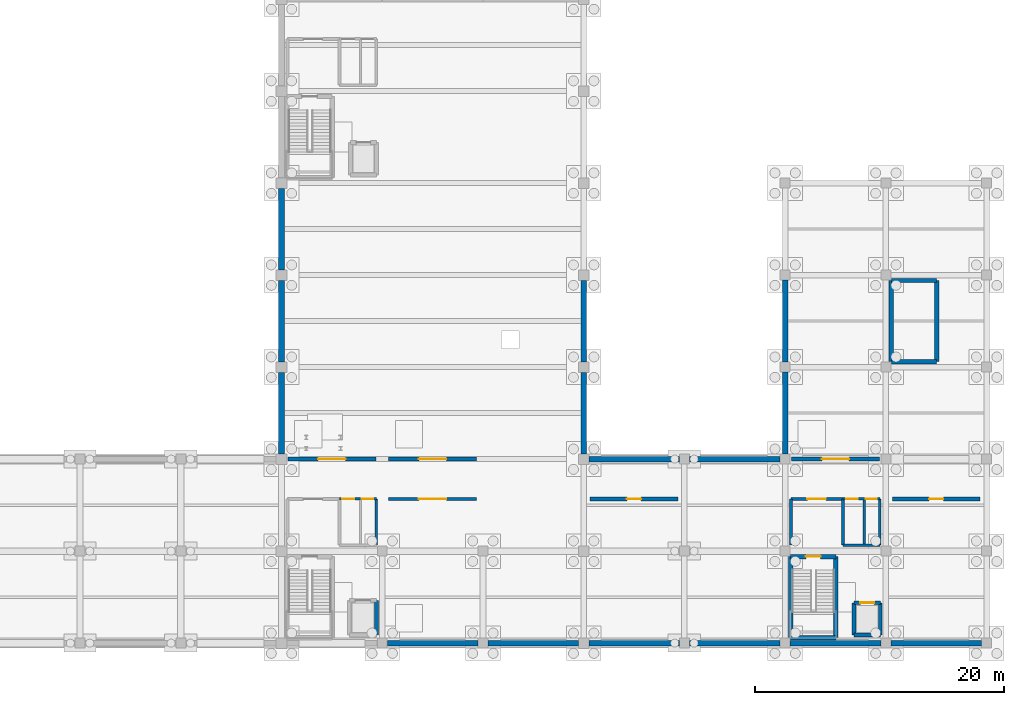
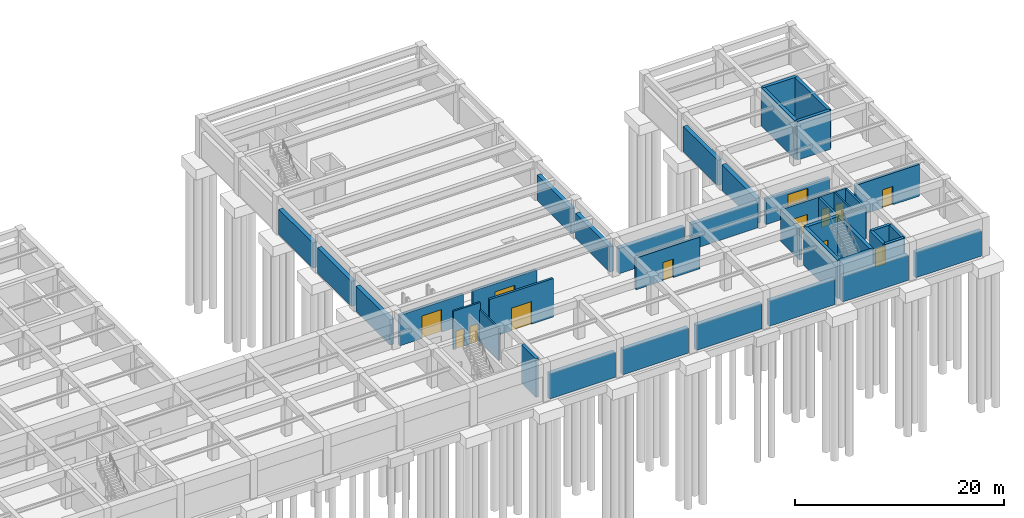
# One storey, part 9 of 14: 43 walls, 13 doors, 13 openings.
"""IFC4 building model written with IfcOpenShell, lengths in metres."""

from ifc_helpers import new_model, si_unit, direction, frame, frame_2d, origin, place, context, subcontext, project, spatial, rectangle, extrude, material, layer, layer_set, type_object, element, fill, save


model = new_model("IFC4")

# Units and contexts
model_context = context("Model", 3, precision=1e-05, world=origin(), true_north=direction((0.0, 1.0)))
body_context = subcontext(model_context, "Body", "Model", "MODEL_VIEW")
ifc_project = project(units=[si_unit("LENGTHUNIT", "METRE"), si_unit("AREAUNIT", "SQUARE_METRE"), si_unit("VOLUMEUNIT", "CUBIC_METRE"), si_unit("PLANEANGLEUNIT", "RADIAN"), si_unit("MASSUNIT", "GRAM", prefix="KILO")], contexts=[model_context])

# Site, building, storey
site_placement = place(None, origin())
site = spatial("IfcSite", under=ifc_project, at=site_placement, CompositionType="ELEMENT")
building_placement = place(site_placement, origin())
building = spatial("IfcBuilding", under=site, at=building_placement, Name="Cimatlan Art Gallery", CompositionType="ELEMENT")
storey_placement = place(building_placement, frame((0.0, 0.0, -4.800048828125)))
storey = spatial("IfcBuildingStorey", under=building, at=storey_placement, Name="B1", CompositionType="ELEMENT", Elevation=-4.800048828125)

# Walls
ifc_material_1 = material(Name="Concrete C40/50", Category="concrete")
ifc_layer_1 = layer(ifc_material_1, 0.31005859375)
ifc_layer_set_1 = layer_set([ifc_layer_1], Name="Concrete C40/50")
wall_type_1 = type_object("IfcWallType", Name="W-CORE-310", PredefinedType="SHEAR", material=ifc_layer_set_1)
wall_1_placement = place(storey_placement, frame((82.550048828125, 24.550048828125, 0.0), z_axis=(0.0, 0.0, 1.0), x_axis=(0.0, 1.0, 0.0)))
element("IfcWall", 1, at=wall_1_placement, inside=storey, type_object=wall_type_1, Name="WL-SHFT-C3-B1-LE", PredefinedType="SHEAR", context=body_context, shape_type="SweptSolid", body=[
    extrude(rectangle(XDim=2.800048828125, YDim=0.31005859375, at=frame_2d((1.39990234375, 0.0))), origin(), (0.0, 0.0, 1.0), 4.51513671875),
])
wall_2_placement = place(storey_placement, frame((120.949951171875, 24.550048828125, 0.0), z_axis=(0.0, 0.0, 1.0), x_axis=(0.0, 1.0, 0.0)))
element("IfcWall", 2, at=wall_2_placement, inside=storey, type_object=wall_type_1, Name="WL-SHFT-C4-B1-LW", PredefinedType="SHEAR", context=body_context, shape_type="SweptSolid", body=[
    extrude(rectangle(XDim=2.599853515625, YDim=0.31005859375, at=frame_2d((1.2998046875, 0.0))), origin(), (0.0, 0.0, 1.0), 4.51513671875),
])
wall_3_placement = place(storey_placement, frame((120.949951171875, 24.550048828125, 0.0), z_axis=(0.0, 0.0, 1.0), x_axis=(1.0, 0.0, 0.0)))
element("IfcWall", 3, at=wall_3_placement, inside=storey, type_object=wall_type_1, Name="WL-SHFT-C4-B1-LS", PredefinedType="SHEAR", context=body_context, shape_type="SweptSolid", body=[
    extrude(rectangle(XDim=2.10009765625, YDim=0.31005859375, at=frame_2d((1.050048828125, 0.0))), origin(), (0.0, 0.0, 1.0), 4.51513671875),
])
wall_4_placement = place(storey_placement, frame((123.050048828125, 24.550048828125, 0.0), z_axis=(0.0, 0.0, 1.0), x_axis=(0.0, 1.0, 0.0)))
element("IfcWall", 4, at=wall_4_placement, inside=storey, type_object=wall_type_1, Name="WL-SHFT-C4-B1-LE", PredefinedType="SHEAR", context=body_context, shape_type="SweptSolid", body=[
    extrude(rectangle(XDim=2.599853515625, YDim=0.31005859375, at=frame_2d((1.2998046875, 0.0))), origin(), (0.0, 0.0, 1.0), 4.51513671875),
])

# Wall, opening, door
wall_5_placement = place(storey_placement, frame((120.949951171875, 27.14990234375, 0.0), z_axis=(0.0, 0.0, 1.0), x_axis=(1.0, 0.0, 0.0)))
wall_5 = element("IfcWall", 5, at=wall_5_placement, inside=storey, type_object=wall_type_1, Name="WL-SHFT-C4-B1-LN", PredefinedType="SHEAR", context=body_context, shape_type="SweptSolid", body=[
    extrude(rectangle(XDim=2.10009765625, YDim=0.31005859375, at=frame_2d((1.050048828125, 0.0))), origin(), (0.0, 0.0, 1.0), 4.51513671875),
])
opening_1_placement = place(wall_5_placement, frame((0.5, 0.0, 0.0)))
opening_1 = element("IfcOpeningElement", 6, at=opening_1_placement, cuts=wall_5, Name="Opening LD-C4-B1", PredefinedType="OPENING", context=body_context, shape_type="SweptSolid", body=[
    extrude(rectangle(XDim=1.10009765625, YDim=2.14990234375, at=frame_2d((0.550048828125, 1.074951171875))), frame((0.0, 0.1650390625, 0.0), z_axis=(0.0, -1.0, 0.0), x_axis=(1.0, 0.0, 0.0)), (0.0, 0.0, 1.0), 0.330078125),
])
ifc_material_2 = material(Name="Brushed bronze sliding lift landing door")
door_type_1 = type_object("IfcDoorType", Name="LD-PS-1100", OperationType="NOTDEFINED", PredefinedType="DOOR", material=ifc_material_2)
door_1_placement = place(opening_1_placement, origin())
door_1 = element("IfcDoor", 7, at=door_1_placement, inside=storey, type_object=door_type_1, Name="LD-PL-01-B1", OperationType="SLIDING_TO_LEFT", OverallHeight=2.14990234375, OverallWidth=1.10009765625, PredefinedType="DOOR", context=body_context, shape_type="SweptSolid", body=[
    extrude(rectangle(XDim=1.10009765625, YDim=2.14990234375, at=frame_2d((0.550048828125, 1.074951171875))), frame((0.0, 0.02490234375, 0.0), z_axis=(0.0, -1.0, 0.0), x_axis=(1.0, 0.0, 0.0)), (0.0, 0.0, 1.0), 0.050048828125),
])
fill(opening_1, door_1)

# Walls
ifc_layer_2 = layer(ifc_material_1, 0.35009765625)
ifc_layer_set_2 = layer_set([ifc_layer_2], Name="Concrete C40/50")
wall_type_2 = type_object("IfcWallType", Name="W-CORE-350", PredefinedType="SHEAR", material=ifc_layer_set_2)
wall_6_placement = place(storey_placement, frame((115.840087890625, 24.340087890625, 0.0), z_axis=(0.0, 0.0, 1.0), x_axis=(0.0, 1.0, 0.0)))
element("IfcWall", 8, at=wall_6_placement, inside=storey, type_object=wall_type_2, Name="WL-CORE-C4-B1-SW", PredefinedType="SHEAR", context=body_context, shape_type="SweptSolid", body=[
    extrude(rectangle(XDim=6.52001953125, YDim=0.35009765625, at=frame_2d((3.260009765625, 0.0))), origin(), (0.0, 0.0, 1.0), 4.51513671875),
])
wall_7_placement = place(storey_placement, frame((115.840087890625, 24.340087890625, 0.0), z_axis=(0.0, 0.0, 1.0), x_axis=(1.0, 0.0, 0.0)))
element("IfcWall", 9, at=wall_7_placement, inside=storey, type_object=wall_type_2, Name="WL-CORE-C4-B1-SS", PredefinedType="SHEAR", context=body_context, shape_type="SweptSolid", body=[
    extrude(rectangle(XDim=3.639892578125, YDim=0.35009765625, at=frame_2d((1.81982421875, 0.0))), origin(), (0.0, 0.0, 1.0), 4.51513671875),
])
wall_8_placement = place(storey_placement, frame((119.47998046875, 24.340087890625, 0.0), z_axis=(0.0, 0.0, 1.0), x_axis=(0.0, 1.0, 0.0)))
element("IfcWall", 10, at=wall_8_placement, inside=storey, type_object=wall_type_2, Name="WL-CORE-C4-B1-SE", PredefinedType="SHEAR", context=body_context, shape_type="SweptSolid", body=[
    extrude(rectangle(XDim=6.52001953125, YDim=0.35009765625, at=frame_2d((3.260009765625, 0.0))), origin(), (0.0, 0.0, 1.0), 4.51513671875),
])

# Wall, opening, door
wall_9_placement = place(storey_placement, frame((115.840087890625, 30.860107421875, 0.0), z_axis=(0.0, 0.0, 1.0), x_axis=(1.0, 0.0, 0.0)))
wall_9 = element("IfcWall", 11, at=wall_9_placement, inside=storey, type_object=wall_type_2, Name="WL-CORE-C4-B1-SN", PredefinedType="SHEAR", context=body_context, shape_type="SweptSolid", body=[
    extrude(rectangle(XDim=3.639892578125, YDim=0.35009765625, at=frame_2d((1.81982421875, 0.0))), origin(), (0.0, 0.0, 1.0), 4.51513671875),
])
opening_2_placement = place(wall_9_placement, frame((1.219970703125, 0.0, 0.0)))
opening_2 = element("IfcOpeningElement", 12, at=opening_2_placement, cuts=wall_9, Name="Opening FD-C4-B1", PredefinedType="OPENING", context=body_context, shape_type="SweptSolid", body=[
    extrude(rectangle(XDim=1.199951171875, YDim=2.14990234375, at=frame_2d((0.60009765625, 1.074951171875))), frame((0.0, 0.18505859375, 0.0), z_axis=(0.0, -1.0, 0.0), x_axis=(1.0, 0.0, 0.0)), (0.0, 0.0, 1.0), 0.3701171875),
])
ifc_material_3 = material(Name="Fire-resisting steel acoustic stair door", Category="steel")
door_type_2 = type_object("IfcDoorType", Name="FD-ST-1200", OperationType="NOTDEFINED", PredefinedType="DOOR", material=ifc_material_3)
door_2_placement = place(opening_2_placement, origin())
door_2 = element("IfcDoor", 13, at=door_2_placement, inside=storey, type_object=door_type_2, Name="DR-C4-B1-ST", OperationType="SINGLE_SWING_LEFT", OverallHeight=2.14990234375, OverallWidth=1.199951171875, PredefinedType="DOOR", context=body_context, shape_type="SweptSolid", body=[
    extrude(rectangle(XDim=1.199951171875, YDim=2.14990234375, at=frame_2d((0.60009765625, 1.074951171875))), frame((0.0, 0.02490234375, 0.0), z_axis=(0.0, -1.0, 0.0), x_axis=(1.0, 0.0, 0.0)), (0.0, 0.0, 1.0), 0.050048828125),
])
fill(opening_2, door_2)

# Walls
wall_10_placement = place(storey_placement, frame((123.93994140625, 46.5400390625, 0.0), z_axis=(0.0, 0.0, 1.0), x_axis=(0.0, 1.0, 0.0)))
element("IfcWall", 14, at=wall_10_placement, inside=storey, type_object=wall_type_2, Name="WL-CORE-C9-B1-SW", PredefinedType="SHEAR", context=body_context, shape_type="SweptSolid", body=[
    extrude(rectangle(XDim=6.52001953125, YDim=0.35009765625, at=frame_2d((3.260009765625, 0.0))), origin(), (0.0, 0.0, 1.0), 4.51513671875),
])
wall_11_placement = place(storey_placement, frame((123.93994140625, 46.5400390625, 0.0), z_axis=(0.0, 0.0, 1.0), x_axis=(1.0, 0.0, 0.0)))
element("IfcWall", 15, at=wall_11_placement, inside=storey, type_object=wall_type_2, Name="WL-CORE-C9-B1-SS", PredefinedType="SHEAR", context=body_context, shape_type="SweptSolid", body=[
    extrude(rectangle(XDim=3.64013671875, YDim=0.35009765625, at=frame_2d((1.820068359375, 0.0))), origin(), (0.0, 0.0, 1.0), 4.51513671875),
])
wall_12_placement = place(storey_placement, frame((127.580078125, 46.5400390625, 0.0), z_axis=(0.0, 0.0, 1.0), x_axis=(0.0, 1.0, 0.0)))
element("IfcWall", 16, at=wall_12_placement, inside=storey, type_object=wall_type_2, Name="WL-CORE-C9-B1-SE", PredefinedType="SHEAR", context=body_context, shape_type="SweptSolid", body=[
    extrude(rectangle(XDim=6.52001953125, YDim=0.35009765625, at=frame_2d((3.260009765625, 0.0))), origin(), (0.0, 0.0, 1.0), 4.51513671875),
])
wall_13_placement = place(storey_placement, frame((123.93994140625, 53.06005859375, 0.0), z_axis=(0.0, 0.0, 1.0), x_axis=(1.0, 0.0, 0.0)))
element("IfcWall", 17, at=wall_13_placement, inside=storey, type_object=wall_type_2, Name="WL-CORE-C9-B1-SN", PredefinedType="SHEAR", context=body_context, shape_type="SweptSolid", body=[
    extrude(rectangle(XDim=3.64013671875, YDim=0.35009765625, at=frame_2d((1.820068359375, 0.0))), origin(), (0.0, 0.0, 1.0), 4.51513671875),
])

# Wall, opening, door
ifc_material_4 = material(Name="Precast concrete C40/50", Category="concrete")
ifc_layer_3 = layer(ifc_material_4, 0.2451171875)
ifc_layer_set_3 = layer_set([ifc_layer_3], Name="Precast concrete C40/50")
wall_type_3 = type_object("IfcWallType", Name="W-FFL-245", PredefinedType="PARTITIONING", material=ifc_layer_set_3)
wall_14_placement = place(storey_placement, frame((115.8798828125, 35.5, 0.0), z_axis=(0.0, 0.0, 1.0), x_axis=(1.0, 0.0, 0.0)))
wall_14 = element("IfcWall", 18, at=wall_14_placement, inside=storey, type_object=wall_type_3, Name="WL-LOB-C4-B1-N", PredefinedType="PARTITIONING", context=body_context, shape_type="SweptSolid", body=[
    extrude(rectangle(XDim=4.170166015625, YDim=0.2451171875, at=frame_2d((2.0849609375, 0.0))), origin(), (0.0, 0.0, 1.0), 3.7099609375),
])
opening_3_placement = place(wall_14_placement, frame((1.300048828125, 0.0, 0.0)))
opening_3 = element("IfcOpeningElement", 19, at=opening_3_placement, cuts=wall_14, Name="Opening FDL-C4-B1", PredefinedType="OPENING", context=body_context, shape_type="SweptSolid", body=[
    extrude(rectangle(XDim=1.5, YDim=2.14990234375, at=frame_2d((0.75, 1.074951171875))), frame((0.0, 0.132568359375, 0.0), z_axis=(0.0, -1.0, 0.0), x_axis=(1.0, 0.0, 0.0)), (0.0, 0.0, 1.0), 0.26513671875),
])
ifc_material_5 = material(Name="Fire-resisting double-seal lobby door")
door_type_3 = type_object("IfcDoorType", Name="FD-LB-1500", OperationType="NOTDEFINED", PredefinedType="DOOR", material=ifc_material_5)
door_3_placement = place(opening_3_placement, origin())
door_3 = element("IfcDoor", 20, at=door_3_placement, inside=storey, type_object=door_type_3, Name="DR-LOB-C4-B1", OperationType="SINGLE_SWING_RIGHT", OverallHeight=2.14990234375, OverallWidth=1.5, PredefinedType="DOOR", context=body_context, shape_type="SweptSolid", body=[
    extrude(rectangle(XDim=1.5, YDim=2.14990234375, at=frame_2d((0.75, 1.074951171875))), frame((0.0, 0.02490234375, 0.0), z_axis=(0.0, -1.0, 0.0), x_axis=(1.0, 0.0, 0.0)), (0.0, 0.0, 1.0), 0.050048828125),
])
fill(opening_3, door_3)

# Walls
for number, where, z_axis, x_axis, name in (
    (21, (115.8798828125, 31.780029296875, 0.0), (0.0, 0.0, 1.0), (0.0, 1.0, 0.0), "WL-LOB-C4-B1-W"),
    (22, (120.050048828125, 31.780029296875, 0.0), (0.0, 0.0, 1.0), (0.0, 1.0, 0.0), "WL-LOB-C4-B1-M"),
):
    element("IfcWall", number, at=place(storey_placement, frame(where, z_axis=z_axis, x_axis=x_axis)), inside=storey, type_object=wall_type_3, Name=name, PredefinedType="PARTITIONING", context=body_context, shape_type="SweptSolid", body=[
        extrude(rectangle(XDim=3.719970703125, YDim=0.2451171875, at=frame_2d((1.85986328125, 0.0))), origin(), (0.0, 0.0, 1.0), 3.66015625),
    ])

# Wall, opening, door
wall_15_placement = place(storey_placement, frame((83.52001953125, 35.5, 0.0), z_axis=(0.0, 0.0, 1.0), x_axis=(1.0, 0.0, 0.0)))
wall_15 = element("IfcWall", 23, at=wall_15_placement, inside=storey, type_object=wall_type_3, Name="WL-RM-B1-ARC-01", PredefinedType="PARTITIONING", context=body_context, shape_type="SweptSolid", body=[
    extrude(rectangle(XDim=7.06005859375, YDim=0.2451171875, at=frame_2d((3.530029296875, 0.0))), origin(), (0.0, 0.0, 1.0), 4.505126953125),
])
opening_4_placement = place(wall_15_placement, frame((2.429931640625, 0.0, 0.0)))
opening_4 = element("IfcOpeningElement", 24, at=opening_4_placement, cuts=wall_15, Name="Opening DI-0166", PredefinedType="OPENING", context=body_context, shape_type="SweptSolid", body=[
    extrude(rectangle(XDim=2.199951171875, YDim=2.64990234375, at=frame_2d((1.10009765625, 1.324951171875))), frame((0.0, 0.132568359375, 0.0), z_axis=(0.0, -1.0, 0.0), x_axis=(1.0, 0.0, 0.0)), (0.0, 0.0, 1.0), 0.26513671875),
])
ifc_material_6 = material(Name="Fire-resisting large-format art-store door")
door_type_4 = type_object("IfcDoorType", Name="FD-VL-2200", OperationType="NOTDEFINED", PredefinedType="DOOR", material=ifc_material_6)
door_4_placement = place(opening_4_placement, origin())
door_4 = element("IfcDoor", 25, at=door_4_placement, inside=storey, type_object=door_type_4, Name="DR-RM-B1-ARC-01", OperationType="SINGLE_SWING_RIGHT", OverallHeight=2.64990234375, OverallWidth=2.199951171875, PredefinedType="DOOR", context=body_context, shape_type="SweptSolid", body=[
    extrude(rectangle(XDim=2.199951171875, YDim=2.64990234375, at=frame_2d((1.10009765625, 1.324951171875))), frame((0.0, 0.02490234375, 0.0), z_axis=(0.0, -1.0, 0.0), x_axis=(1.0, 0.0, 0.0)), (0.0, 0.0, 1.0), 0.050048828125),
])
fill(opening_4, door_4)

# Wall
ifc_material_7 = material(Name="Moisture-resistant fire-rated plumbing wall")
ifc_layer_4 = layer(ifc_material_7, 0.195068359375)
ifc_layer_set_4 = layer_set([ifc_layer_4], Name="Moisture-resistant fire-rated plumbing wall")
wall_type_4 = type_object("IfcWallType", Name="W-PLM-195", PredefinedType="PARTITIONING", material=ifc_layer_set_4)
wall_16_placement = place(storey_placement, frame((82.52001953125, 31.780029296875, 0.0), z_axis=(0.0, 0.0, 1.0), x_axis=(0.0, 1.0, 0.0)))
element("IfcWall", 26, at=wall_16_placement, inside=storey, type_object=wall_type_4, Name="WL-LOB-C3-B1-E", PredefinedType="PARTITIONING", context=body_context, shape_type="SweptSolid", body=[
    extrude(rectangle(XDim=3.719970703125, YDim=0.195068359375, at=frame_2d((1.85986328125, 0.0))), origin(), (0.0, 0.0, 1.0), 3.66015625),
])

# Wall, openings, doors
wall_17_placement = place(storey_placement, frame((79.550048828125, 35.5, 0.0), z_axis=(0.0, 0.0, 1.0), x_axis=(1.0, 0.0, 0.0)))
wall_17 = element("IfcWall", 27, at=wall_17_placement, inside=storey, type_object=wall_type_4, Name="WL-WC-C3-B1-N", PredefinedType="PARTITIONING", context=body_context, shape_type="SweptSolid", body=[
    extrude(rectangle(XDim=2.969970703125, YDim=0.195068359375, at=frame_2d((1.48486328125, 0.0))), origin(), (0.0, 0.0, 1.0), 4.505126953125),
])
opening_5_placement = place(wall_17_placement, frame((0.25, 0.0, 0.0)))
opening_5 = element("IfcOpeningElement", 28, at=opening_5_placement, cuts=wall_17, Name="Opening DWC-C3A-B1", PredefinedType="OPENING", context=body_context, shape_type="SweptSolid", body=[
    extrude(rectangle(XDim=0.949951171875, YDim=2.10009765625, at=frame_2d((0.47509765625, 1.050048828125))), frame((0.0, 0.107421875, 0.0), z_axis=(0.0, -1.0, 0.0), x_axis=(1.0, 0.0, 0.0)), (0.0, 0.0, 1.0), 0.215087890625),
])
opening_6_placement = place(wall_17_placement, frame((1.820068359375, 0.0, 0.0)))
opening_6 = element("IfcOpeningElement", 29, at=opening_6_placement, cuts=wall_17, Name="Opening DWC-C3B-B1", PredefinedType="OPENING", context=body_context, shape_type="SweptSolid", body=[
    extrude(rectangle(XDim=0.89990234375, YDim=2.10009765625, at=frame_2d((0.449951171875, 1.050048828125))), frame((0.0, 0.107421875, 0.0), z_axis=(0.0, -1.0, 0.0), x_axis=(1.0, 0.0, 0.0)), (0.0, 0.0, 1.0), 0.215087890625),
])
ifc_material_8 = material(Name="Sanitary room door")
door_type_5 = type_object("IfcDoorType", Name="DI-WC-0900", OperationType="NOTDEFINED", PredefinedType="DOOR", material=ifc_material_8)
door_5_placement = place(opening_6_placement, origin())
door_5 = element("IfcDoor", 30, at=door_5_placement, inside=storey, type_object=door_type_5, Name="DR-PWC-C3-B1", OperationType="SINGLE_SWING_RIGHT", OverallHeight=2.10009765625, OverallWidth=0.89990234375, PredefinedType="DOOR", context=body_context, shape_type="SweptSolid", body=[
    extrude(rectangle(XDim=0.89990234375, YDim=2.10009765625, at=frame_2d((0.449951171875, 1.050048828125))), frame((0.0, 0.02490234375, 0.0), z_axis=(0.0, -1.0, 0.0), x_axis=(1.0, 0.0, 0.0)), (0.0, 0.0, 1.0), 0.050048828125),
])
fill(opening_6, door_5)
ifc_material_9 = material(Name="Accessible sanitary room door")
door_type_6 = type_object("IfcDoorType", Name="DI-WC-0950", OperationType="NOTDEFINED", PredefinedType="DOOR", material=ifc_material_9)
door_6_placement = place(opening_5_placement, origin())
door_6 = element("IfcDoor", 31, at=door_6_placement, inside=storey, type_object=door_type_6, Name="DR-AWC-C3-B1", OperationType="SINGLE_SWING_LEFT", OverallHeight=2.10009765625, OverallWidth=0.949951171875, PredefinedType="DOOR", context=body_context, shape_type="SweptSolid", body=[
    extrude(rectangle(XDim=0.949951171875, YDim=2.10009765625, at=frame_2d((0.47509765625, 1.050048828125))), frame((0.0, 0.02490234375, 0.0), z_axis=(0.0, -1.0, 0.0), x_axis=(1.0, 0.0, 0.0)), (0.0, 0.0, 1.0), 0.050048828125),
])
fill(opening_5, door_6)

# Walls
for number, where, z_axis, x_axis, name in (
    (32, (121.75, 31.780029296875, 0.0), (0.0, 0.0, 1.0), (0.0, 1.0, 0.0), "WL-LOB-C4-B1-D"),
    (33, (123.02001953125, 31.780029296875, 0.0), (0.0, 0.0, 1.0), (0.0, 1.0, 0.0), "WL-LOB-C4-B1-E"),
):
    element("IfcWall", number, at=place(storey_placement, frame(where, z_axis=z_axis, x_axis=x_axis)), inside=storey, type_object=wall_type_4, Name=name, PredefinedType="PARTITIONING", context=body_context, shape_type="SweptSolid", body=[
        extrude(rectangle(XDim=3.719970703125, YDim=0.195068359375, at=frame_2d((1.85986328125, 0.0))), origin(), (0.0, 0.0, 1.0), 3.66015625),
    ])
wall_18_placement = place(storey_placement, frame((120.050048828125, 31.780029296875, 0.0), z_axis=(0.0, 0.0, 1.0), x_axis=(1.0, 0.0, 0.0)))
element("IfcWall", 34, at=wall_18_placement, inside=storey, type_object=wall_type_4, Name="WL-LOB-C4-B1-S", PredefinedType="PARTITIONING", context=body_context, shape_type="SweptSolid", body=[
    extrude(rectangle(XDim=2.969970703125, YDim=0.195068359375, at=frame_2d((1.48486328125, 0.0))), origin(), (0.0, 0.0, 1.0), 3.66015625),
])

# Wall, openings, doors
wall_19_placement = place(storey_placement, frame((120.050048828125, 35.5, 0.0), z_axis=(0.0, 0.0, 1.0), x_axis=(1.0, 0.0, 0.0)))
wall_19 = element("IfcWall", 35, at=wall_19_placement, inside=storey, type_object=wall_type_4, Name="WL-WC-C4-B1-N", PredefinedType="PARTITIONING", context=body_context, shape_type="SweptSolid", body=[
    extrude(rectangle(XDim=2.969970703125, YDim=0.195068359375, at=frame_2d((1.48486328125, 0.0))), origin(), (0.0, 0.0, 1.0), 3.7099609375),
])
opening_7_placement = place(wall_19_placement, frame((0.25, 0.0, 0.0)))
opening_7 = element("IfcOpeningElement", 36, at=opening_7_placement, cuts=wall_19, Name="Opening DWC-C4A-B1", PredefinedType="OPENING", context=body_context, shape_type="SweptSolid", body=[
    extrude(rectangle(XDim=0.949951171875, YDim=2.10009765625, at=frame_2d((0.47509765625, 1.050048828125))), frame((0.0, 0.107421875, 0.0), z_axis=(0.0, -1.0, 0.0), x_axis=(1.0, 0.0, 0.0)), (0.0, 0.0, 1.0), 0.215087890625),
])
opening_8_placement = place(wall_19_placement, frame((1.820068359375, 0.0, 0.0)))
opening_8 = element("IfcOpeningElement", 37, at=opening_8_placement, cuts=wall_19, Name="Opening DWC-C4B-B1", PredefinedType="OPENING", context=body_context, shape_type="SweptSolid", body=[
    extrude(rectangle(XDim=0.89990234375, YDim=2.10009765625, at=frame_2d((0.449951171875, 1.050048828125))), frame((0.0, 0.107421875, 0.0), z_axis=(0.0, -1.0, 0.0), x_axis=(1.0, 0.0, 0.0)), (0.0, 0.0, 1.0), 0.215087890625),
])
door_7_placement = place(opening_8_placement, origin())
door_7 = element("IfcDoor", 38, at=door_7_placement, inside=storey, type_object=door_type_5, Name="DR-PWC-C4-B1", OperationType="SINGLE_SWING_RIGHT", OverallHeight=2.10009765625, OverallWidth=0.89990234375, PredefinedType="DOOR", context=body_context, shape_type="SweptSolid", body=[
    extrude(rectangle(XDim=0.89990234375, YDim=2.10009765625, at=frame_2d((0.449951171875, 1.050048828125))), frame((0.0, 0.02490234375, 0.0), z_axis=(0.0, -1.0, 0.0), x_axis=(1.0, 0.0, 0.0)), (0.0, 0.0, 1.0), 0.050048828125),
])
fill(opening_8, door_7)
door_8_placement = place(opening_7_placement, origin())
door_8 = element("IfcDoor", 39, at=door_8_placement, inside=storey, type_object=door_type_6, Name="DR-AWC-C4-B1", OperationType="SINGLE_SWING_LEFT", OverallHeight=2.10009765625, OverallWidth=0.949951171875, PredefinedType="DOOR", context=body_context, shape_type="SweptSolid", body=[
    extrude(rectangle(XDim=0.949951171875, YDim=2.10009765625, at=frame_2d((0.47509765625, 1.050048828125))), frame((0.0, 0.02490234375, 0.0), z_axis=(0.0, -1.0, 0.0), x_axis=(1.0, 0.0, 0.0)), (0.0, 0.0, 1.0), 0.050048828125),
])
fill(opening_7, door_8)

# Wall, opening, door
ifc_layer_5 = layer(ifc_material_1, 0.324951171875)
ifc_layer_set_5 = layer_set([ifc_layer_5], Name="Concrete C40/50")
wall_type_5 = type_object("IfcWallType", Name="W-VAULT-325", PredefinedType="SHEAR", material=ifc_layer_set_5)
wall_20_placement = place(storey_placement, frame((83.52001953125, 38.699951171875, 0.0), z_axis=(0.0, 0.0, 1.0), x_axis=(1.0, 0.0, 0.0)))
wall_20 = element("IfcWall", 40, at=wall_20_placement, inside=storey, type_object=wall_type_5, Name="WL-RM-B1-AST-03", PredefinedType="SHEAR", context=body_context, shape_type="SweptSolid", body=[
    extrude(rectangle(XDim=7.06005859375, YDim=0.324951171875, at=frame_2d((3.530029296875, 0.0))), origin(), (0.0, 0.0, 1.0), 3.5830078125),
])
opening_9_placement = place(wall_20_placement, frame((2.429931640625, 0.0, 0.0)))
opening_9 = element("IfcOpeningElement", 41, at=opening_9_placement, cuts=wall_20, Name="Opening DI-0161", PredefinedType="OPENING", context=body_context, shape_type="SweptSolid", body=[
    extrude(rectangle(XDim=2.199951171875, YDim=2.64990234375, at=frame_2d((1.10009765625, 1.324951171875))), frame((0.0, 0.17236328125, 0.0), z_axis=(0.0, -1.0, 0.0), x_axis=(1.0, 0.0, 0.0)), (0.0, 0.0, 1.0), 0.344970703125),
])
door_9_placement = place(opening_9_placement, origin())
door_9 = element("IfcDoor", 42, at=door_9_placement, inside=storey, type_object=door_type_4, Name="DR-RM-B1-AST-03", OperationType="SINGLE_SWING_LEFT", OverallHeight=2.64990234375, OverallWidth=2.199951171875, PredefinedType="DOOR", context=body_context, shape_type="SweptSolid", body=[
    extrude(rectangle(XDim=2.199951171875, YDim=2.64990234375, at=frame_2d((1.10009765625, 1.324951171875))), frame((0.0, 0.02490234375, 0.0), z_axis=(0.0, -1.0, 0.0), x_axis=(1.0, 0.0, 0.0)), (0.0, 0.0, 1.0), 0.050048828125),
])
fill(opening_9, door_9)

wall_21_placement = place(storey_placement, frame((75.419921875, 38.699951171875, 0.0), z_axis=(0.0, 0.0, 1.0), x_axis=(1.0, 0.0, 0.0)))
wall_21 = element("IfcWall", 43, at=wall_21_placement, inside=storey, type_object=wall_type_5, Name="WL-RM-B1-AST-04", PredefinedType="SHEAR", context=body_context, shape_type="SweptSolid", body=[
    extrude(rectangle(XDim=7.06005859375, YDim=0.324951171875, at=frame_2d((3.530029296875, 0.0))), origin(), (0.0, 0.0, 1.0), 3.5830078125),
])
opening_10_placement = place(wall_21_placement, frame((2.429931640625, 0.0, 0.0)))
opening_10 = element("IfcOpeningElement", 44, at=opening_10_placement, cuts=wall_21, Name="Opening DI-0162", PredefinedType="OPENING", context=body_context, shape_type="SweptSolid", body=[
    extrude(rectangle(XDim=2.199951171875, YDim=2.64990234375, at=frame_2d((1.10009765625, 1.324951171875))), frame((0.0, 0.17236328125, 0.0), z_axis=(0.0, -1.0, 0.0), x_axis=(1.0, 0.0, 0.0)), (0.0, 0.0, 1.0), 0.344970703125),
])
door_10_placement = place(opening_10_placement, origin())
door_10 = element("IfcDoor", 45, at=door_10_placement, inside=storey, type_object=door_type_4, Name="DR-RM-B1-AST-04", OperationType="SINGLE_SWING_RIGHT", OverallHeight=2.64990234375, OverallWidth=2.199951171875, PredefinedType="DOOR", context=body_context, shape_type="SweptSolid", body=[
    extrude(rectangle(XDim=2.199951171875, YDim=2.64990234375, at=frame_2d((1.10009765625, 1.324951171875))), frame((0.0, 0.02490234375, 0.0), z_axis=(0.0, -1.0, 0.0), x_axis=(1.0, 0.0, 0.0)), (0.0, 0.0, 1.0), 0.050048828125),
])
fill(opening_10, door_10)

wall_22_placement = place(storey_placement, frame((115.919921875, 38.699951171875, 0.0), z_axis=(0.0, 0.0, 1.0), x_axis=(1.0, 0.0, 0.0)))
wall_22 = element("IfcWall", 46, at=wall_22_placement, inside=storey, type_object=wall_type_5, Name="WL-RM-B1-AST-05", PredefinedType="SHEAR", context=body_context, shape_type="SweptSolid", body=[
    extrude(rectangle(XDim=7.06005859375, YDim=0.324951171875, at=frame_2d((3.530029296875, 0.0))), origin(), (0.0, 0.0, 1.0), 3.010009765625),
])
opening_11_placement = place(wall_22_placement, frame((2.429931640625, 0.0, 0.0)))
opening_11 = element("IfcOpeningElement", 47, at=opening_11_placement, cuts=wall_22, Name="Opening DI-0163", PredefinedType="OPENING", context=body_context, shape_type="SweptSolid", body=[
    extrude(rectangle(XDim=2.199951171875, YDim=2.64990234375, at=frame_2d((1.10009765625, 1.324951171875))), frame((0.0, 0.17236328125, 0.0), z_axis=(0.0, -1.0, 0.0), x_axis=(1.0, 0.0, 0.0)), (0.0, 0.0, 1.0), 0.344970703125),
])
door_11_placement = place(opening_11_placement, origin())
door_11 = element("IfcDoor", 48, at=door_11_placement, inside=storey, type_object=door_type_4, Name="DR-RM-B1-AST-05", OperationType="SINGLE_SWING_LEFT", OverallHeight=2.64990234375, OverallWidth=2.199951171875, PredefinedType="DOOR", context=body_context, shape_type="SweptSolid", body=[
    extrude(rectangle(XDim=2.199951171875, YDim=2.64990234375, at=frame_2d((1.10009765625, 1.324951171875))), frame((0.0, 0.02490234375, 0.0), z_axis=(0.0, -1.0, 0.0), x_axis=(1.0, 0.0, 0.0)), (0.0, 0.0, 1.0), 0.050048828125),
])
fill(opening_11, door_11)

wall_23_placement = place(storey_placement, frame((99.719970703125, 35.5, 0.0), z_axis=(0.0, 0.0, 1.0), x_axis=(1.0, 0.0, 0.0)))
wall_23 = element("IfcWall", 49, at=wall_23_placement, inside=storey, type_object=wall_type_5, Name="WL-RM-B1-PLT-01", PredefinedType="SHEAR", context=body_context, shape_type="SweptSolid", body=[
    extrude(rectangle(XDim=7.06005859375, YDim=0.324951171875, at=frame_2d((3.530029296875, 0.0))), origin(), (0.0, 0.0, 1.0), 3.7099609375),
])
opening_12_placement = place(wall_23_placement, frame((2.955078125, 0.0, 0.0)))
opening_12 = element("IfcOpeningElement", 50, at=opening_12_placement, cuts=wall_23, Name="Opening DI-0167", PredefinedType="OPENING", context=body_context, shape_type="SweptSolid", body=[
    extrude(rectangle(XDim=1.14990234375, YDim=2.14990234375, at=frame_2d((0.574951171875, 1.074951171875))), frame((0.0, 0.17236328125, 0.0), z_axis=(0.0, -1.0, 0.0), x_axis=(1.0, 0.0, 0.0)), (0.0, 0.0, 1.0), 0.344970703125),
])
ifc_material_10 = material(Name="Fire-resisting fire-command and plant door")
door_type_7 = type_object("IfcDoorType", Name="FD-FC-1150", OperationType="NOTDEFINED", PredefinedType="DOOR", material=ifc_material_10)
door_12_placement = place(opening_12_placement, origin())
door_12 = element("IfcDoor", 51, at=door_12_placement, inside=storey, type_object=door_type_7, Name="DR-RM-B1-PLT-01", OperationType="SINGLE_SWING_LEFT", OverallHeight=2.14990234375, OverallWidth=1.14990234375, PredefinedType="DOOR", context=body_context, shape_type="SweptSolid", body=[
    extrude(rectangle(XDim=1.14990234375, YDim=2.14990234375, at=frame_2d((0.574951171875, 1.074951171875))), frame((0.0, 0.02490234375, 0.0), z_axis=(0.0, -1.0, 0.0), x_axis=(1.0, 0.0, 0.0)), (0.0, 0.0, 1.0), 0.050048828125),
])
fill(opening_12, door_12)

wall_24_placement = place(storey_placement, frame((124.02001953125, 35.5, 0.0), z_axis=(0.0, 0.0, 1.0), x_axis=(1.0, 0.0, 0.0)))
wall_24 = element("IfcWall", 52, at=wall_24_placement, inside=storey, type_object=wall_type_5, Name="WL-RM-B1-PLT-02", PredefinedType="SHEAR", context=body_context, shape_type="SweptSolid", body=[
    extrude(rectangle(XDim=7.06005859375, YDim=0.324951171875, at=frame_2d((3.530029296875, 0.0))), origin(), (0.0, 0.0, 1.0), 3.7099609375),
])
opening_13_placement = place(wall_24_placement, frame((2.955078125, 0.0, 0.0)))
opening_13 = element("IfcOpeningElement", 53, at=opening_13_placement, cuts=wall_24, Name="Opening DI-0168", PredefinedType="OPENING", context=body_context, shape_type="SweptSolid", body=[
    extrude(rectangle(XDim=1.14990234375, YDim=2.14990234375, at=frame_2d((0.574951171875, 1.074951171875))), frame((0.0, 0.17236328125, 0.0), z_axis=(0.0, -1.0, 0.0), x_axis=(1.0, 0.0, 0.0)), (0.0, 0.0, 1.0), 0.344970703125),
])
door_13_placement = place(opening_13_placement, origin())
door_13 = element("IfcDoor", 54, at=door_13_placement, inside=storey, type_object=door_type_7, Name="DR-RM-B1-PLT-02", OperationType="SINGLE_SWING_RIGHT", OverallHeight=2.14990234375, OverallWidth=1.14990234375, PredefinedType="DOOR", context=body_context, shape_type="SweptSolid", body=[
    extrude(rectangle(XDim=1.14990234375, YDim=2.14990234375, at=frame_2d((0.574951171875, 1.074951171875))), frame((0.0, 0.02490234375, 0.0), z_axis=(0.0, -1.0, 0.0), x_axis=(1.0, 0.0, 0.0)), (0.0, 0.0, 1.0), 0.050048828125),
])
fill(opening_13, door_13)

# Walls
ifc_layer_6 = layer(ifc_material_1, 0.449951171875)
ifc_layer_set_6 = layer_set([ifc_layer_6], Name="Concrete C40/50")
wall_type_6 = type_object("IfcWallType", Name="WL-RET-450", PredefinedType="USERDEFINED", material=ifc_layer_set_6)
for number, where, z_axis, x_axis, name in (
    (55, (74.89990234375, 39.12890625, 0.0), (0.0, 0.0, 1.0), (0.0, 1.0, 0.0), "WL-B1-RET-040"),
    (56, (74.89990234375, 46.529052734375, 0.0), (0.0, 0.0, 1.0), (0.0, 1.0, 0.0), "WL-B1-RET-041"),
    (57, (74.89990234375, 53.928955078125, 0.0), (0.0, 0.0, 1.0), (0.0, 1.0, 0.0), "WL-B1-RET-042"),
):
    element("IfcWall", number, at=place(storey_placement, frame(where, z_axis=z_axis, x_axis=x_axis)), inside=storey, type_object=wall_type_6, Name=name, ObjectType="RETAININGWALL", PredefinedType="USERDEFINED", context=body_context, shape_type="SweptSolid", body=[
        extrude(rectangle(XDim=6.5419921875, YDim=0.449951171875, at=frame_2d((3.27099609375, 0.0))), origin(), (0.0, 0.0, 1.0), 2.949951171875),
    ])
wall_25_placement = place(storey_placement, frame((90.696044921875, 23.89990234375, 0.0), z_axis=(0.0, 0.0, 1.0), x_axis=(-1.0, 0.0, 0.0)))
element("IfcWall", 58, at=wall_25_placement, inside=storey, type_object=wall_type_6, Name="WL-B1-RET-046", ObjectType="RETAININGWALL", PredefinedType="USERDEFINED", context=body_context, shape_type="SweptSolid", body=[
    extrude(rectangle(XDim=7.2919921875, YDim=0.449951171875, at=frame_2d((3.64599609375, 0.0))), origin(), (0.0, 0.0, 1.0), 2.949951171875),
])
wall_26_placement = place(storey_placement, frame((98.77099609375, 23.89990234375, 0.0), z_axis=(0.0, 0.0, 1.0), x_axis=(-1.0, 0.0, 0.0)))
element("IfcWall", 59, at=wall_26_placement, inside=storey, type_object=wall_type_6, Name="WL-B1-RET-048", ObjectType="RETAININGWALL", PredefinedType="USERDEFINED", context=body_context, shape_type="SweptSolid", body=[
    extrude(rectangle(XDim=7.26708984375, YDim=0.449951171875, at=frame_2d((3.633544921875, 0.0))), origin(), (0.0, 0.0, 1.0), 2.949951171875),
])
for number, where, z_axis, x_axis, name in (
    (60, (99.199951171875, 45.6708984375, 0.0), (0.0, 0.0, 1.0), (0.0, -1.0, 0.0), "WL-B1-RET-049"),
    (61, (99.199951171875, 53.071044921875, 0.0), (0.0, 0.0, 1.0), (0.0, -1.0, 0.0), "WL-B1-RET-050"),
):
    element("IfcWall", number, at=place(storey_placement, frame(where, z_axis=z_axis, x_axis=x_axis)), inside=storey, type_object=wall_type_6, Name=name, ObjectType="RETAININGWALL", PredefinedType="USERDEFINED", context=body_context, shape_type="SweptSolid", body=[
        extrude(rectangle(XDim=6.5419921875, YDim=0.449951171875, at=frame_2d((3.27099609375, 0.0))), origin(), (0.0, 0.0, 1.0), 2.949951171875),
    ])
for number, where, z_axis, x_axis, name in (
    (62, (106.89599609375, 23.89990234375, 0.0), (0.0, 0.0, 1.0), (-1.0, 0.0, 0.0), "WL-B1-RET-055"),
    (63, (99.62890625, 38.699951171875, 0.0), (0.0, 0.0, 1.0), (1.0, 0.0, 0.0), "WL-B1-RET-056"),
):
    element("IfcWall", number, at=place(storey_placement, frame(where, z_axis=z_axis, x_axis=x_axis)), inside=storey, type_object=wall_type_6, Name=name, ObjectType="RETAININGWALL", PredefinedType="USERDEFINED", context=body_context, shape_type="SweptSolid", body=[
        extrude(rectangle(XDim=7.26708984375, YDim=0.449951171875, at=frame_2d((3.633544921875, 0.0))), origin(), (0.0, 0.0, 1.0), 2.949951171875),
    ])
for number, where, z_axis, x_axis, name in (
    (64, (114.99609375, 23.89990234375, 0.0), (0.0, 0.0, 1.0), (-1.0, 0.0, 0.0), "WL-B1-RET-057"),
    (65, (107.7041015625, 38.699951171875, 0.0), (0.0, 0.0, 1.0), (1.0, 0.0, 0.0), "WL-B1-RET-058"),
    (66, (123.095947265625, 23.89990234375, 0.0), (0.0, 0.0, 1.0), (-1.0, 0.0, 0.0), "WL-B1-RET-059"),
):
    element("IfcWall", number, at=place(storey_placement, frame(where, z_axis=z_axis, x_axis=x_axis)), inside=storey, type_object=wall_type_6, Name=name, ObjectType="RETAININGWALL", PredefinedType="USERDEFINED", context=body_context, shape_type="SweptSolid", body=[
        extrude(rectangle(XDim=7.2919921875, YDim=0.449951171875, at=frame_2d((3.64599609375, 0.0))), origin(), (0.0, 0.0, 1.0), 2.949951171875),
    ])
for number, where, z_axis, x_axis, name in (
    (67, (115.39990234375, 39.10400390625, 0.0), (0.0, 0.0, 1.0), (0.0, 1.0, 0.0), "WL-B1-RET-060"),
    (68, (115.39990234375, 46.50390625, 0.0), (0.0, 0.0, 1.0), (0.0, 1.0, 0.0), "WL-B1-RET-061"),
):
    element("IfcWall", number, at=place(storey_placement, frame(where, z_axis=z_axis, x_axis=x_axis)), inside=storey, type_object=wall_type_6, Name=name, ObjectType="RETAININGWALL", PredefinedType="USERDEFINED", context=body_context, shape_type="SweptSolid", body=[
        extrude(rectangle(XDim=6.592041015625, YDim=0.449951171875, at=frame_2d((3.2958984375, 0.0))), origin(), (0.0, 0.0, 1.0), 2.949951171875),
    ])
wall_27_placement = place(storey_placement, frame((131.196044921875, 23.89990234375, 0.0), z_axis=(0.0, 0.0, 1.0), x_axis=(-1.0, 0.0, 0.0)))
element("IfcWall", 69, at=wall_27_placement, inside=storey, type_object=wall_type_6, Name="WL-B1-RET-064", ObjectType="RETAININGWALL", PredefinedType="USERDEFINED", context=body_context, shape_type="SweptSolid", body=[
    extrude(rectangle(XDim=7.2919921875, YDim=0.449951171875, at=frame_2d((3.64599609375, 0.0))), origin(), (0.0, 0.0, 1.0), 2.949951171875),
])

save(model, "model.ifc")
